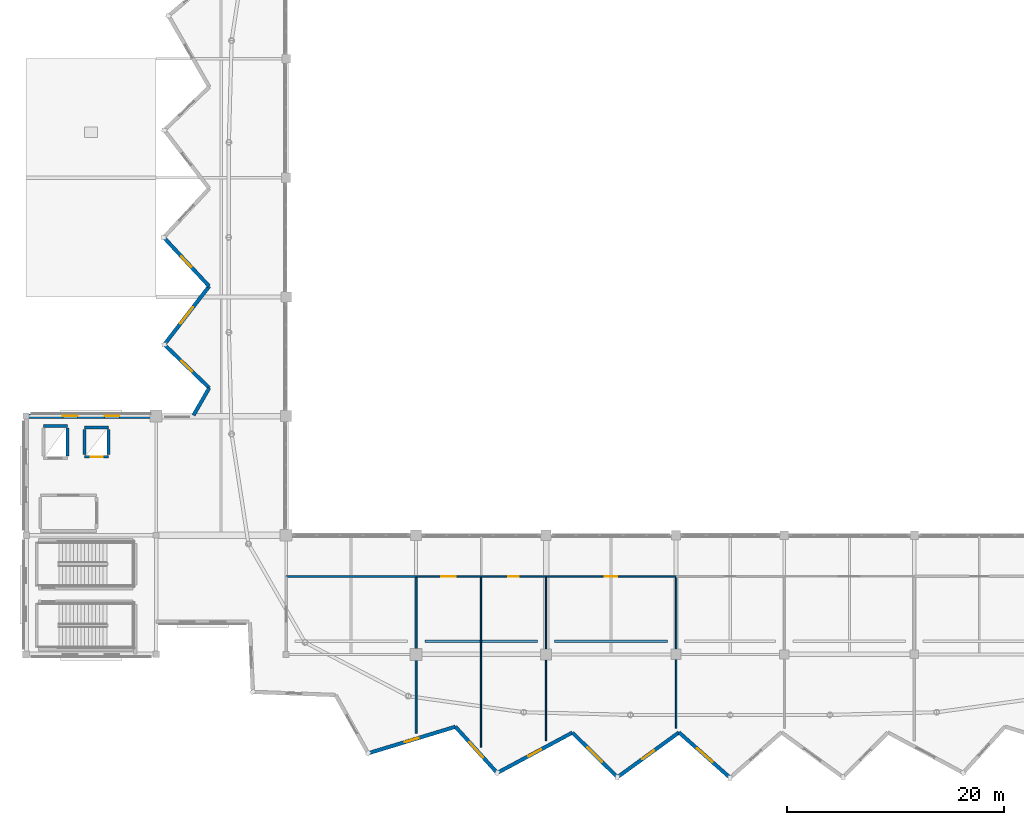
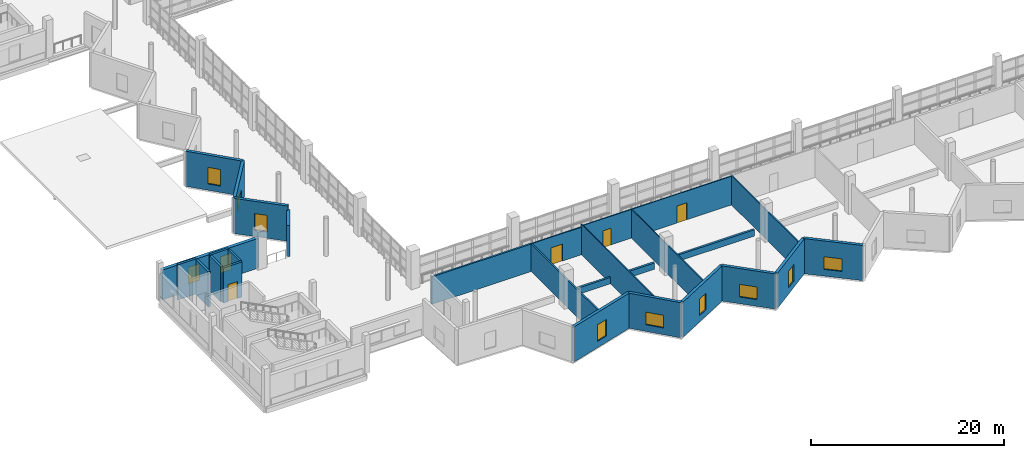
# One storey, part 36 of 53: 27 walls, 11 windows, 4 doors, 15 openings.
"""IFC4 building model written with IfcOpenShell, lengths in metres."""

from ifc_helpers import new_model, si_unit, direction, frame, frame_2d, origin, place, context, subcontext, project, spatial, rectangle, extrude, material, layer, layer_set, type_object, element, fill, save


model = new_model("IFC4")

# Units and contexts
model_context = context("Model", 3, precision=1e-05, world=origin(), true_north=direction((0.0, 1.0)))
body_context = subcontext(model_context, "Body", "Model", "MODEL_VIEW")
ifc_project = project(units=[si_unit("LENGTHUNIT", "METRE"), si_unit("AREAUNIT", "SQUARE_METRE"), si_unit("VOLUMEUNIT", "CUBIC_METRE"), si_unit("PLANEANGLEUNIT", "RADIAN"), si_unit("MASSUNIT", "GRAM", prefix="KILO")], contexts=[model_context])

# Site, building, storey
site_placement = place(None, origin())
site = spatial("IfcSite", under=ifc_project, at=site_placement, CompositionType="ELEMENT")
building_placement = place(site_placement, origin())
building = spatial("IfcBuilding", under=site, at=building_placement, Name="Luwafu Chhajja Arena", CompositionType="ELEMENT")
storey_placement = place(building_placement, frame((0.0, 0.0, 19.5)))
storey = spatial("IfcBuildingStorey", under=building, at=storey_placement, Name="L04", CompositionType="ELEMENT", Elevation=19.5)

# Wall
ifc_material_1 = material(Name="Acoustic gypsum and mineral wool partition")
ifc_layer_1 = layer(ifc_material_1, 0.199951171875, Name="Acoustic gypsum and mineral wool partition")
ifc_layer_set_1 = layer_set([ifc_layer_1], Name="Acoustic gypsum and mineral wool partition")
wall_type_1 = type_object("IfcWallType", Name="Acoustic Broadcast Studio Partition 200", PredefinedType="PARTITIONING", material=ifc_layer_set_1)
wall_1_placement = place(storey_placement, frame((58.0, 18.199951171875, 0.0), z_axis=(0.0, 0.0, 1.0), x_axis=(1.0, 0.0, 0.0)))
element("IfcWall", 1, at=wall_1_placement, inside=storey, type_object=wall_type_1, Name="L04 Internal Partition 0308", PredefinedType="PARTITIONING", context=body_context, shape_type="SweptSolid", body=[
    extrude(rectangle(XDim=12.0, YDim=0.199951171875, at=frame_2d((6.0, 0.0))), origin(), (0.0, 0.0, 1.0), 3.489990234375),
])

# Wall, opening, door
ifc_material_2 = material(Name="Lightweight blockwork partition", Category="masonry")
ifc_layer_2 = layer(ifc_material_2, 0.139892578125, Name="Lightweight blockwork partition")
ifc_layer_set_2 = layer_set([ifc_layer_2], Name="Lightweight blockwork partition")
wall_type_2 = type_object("IfcWallType", Name="Concourse Kiosk Partition 140", PredefinedType="PARTITIONING", material=ifc_layer_set_2)
wall_2_placement = place(storey_placement, frame((70.0, 18.199951171875, 0.0), z_axis=(0.0, 0.0, 1.0), x_axis=(1.0, 0.0, 0.0)))
wall_2 = element("IfcWall", 2, at=wall_2_placement, inside=storey, type_object=wall_type_2, Name="L04 Internal Partition 0309", PredefinedType="PARTITIONING", context=body_context, shape_type="SweptSolid", body=[
    extrude(rectangle(XDim=6.0, YDim=0.139892578125, at=frame_2d((3.0, 0.0))), origin(), (0.0, 0.0, 1.0), 3.489990234375),
])
opening_1_placement = place(wall_2_placement, frame((2.330078125, 0.0, 0.0)))
opening_1 = element("IfcOpeningElement", 3, at=opening_1_placement, cuts=wall_2, Name="Opening DR-26", PredefinedType="OPENING", context=body_context, shape_type="SweptSolid", body=[
    extrude(rectangle(XDim=1.340087890625, YDim=2.14990234375, at=frame_2d((0.669921875, 1.074951171875))), frame((0.0, 0.079833984375, 0.0), z_axis=(0.0, -1.0, 0.0), x_axis=(1.0, 0.0, 0.0)), (0.0, 0.0, 1.0), 0.159912109375),
])
ifc_material_3 = material(Name="Hardwood service leaf", Category="wood")
door_type_1 = type_object("IfcDoorType", Name="DR-26", OperationType="NOTDEFINED", PredefinedType="DOOR", material=ifc_material_3)
door_1_placement = place(opening_1_placement, origin())
door_1 = element("IfcDoor", 4, at=door_1_placement, inside=storey, type_object=door_type_1, Name="L04 Interior Door L04-D021", OperationType="SINGLE_SWING_RIGHT", OverallHeight=2.14990234375, OverallWidth=1.340087890625, PredefinedType="DOOR", context=body_context, shape_type="SweptSolid", body=[
    extrude(rectangle(XDim=1.340087890625, YDim=2.14990234375, at=frame_2d((0.669921875, 1.074951171875))), frame((0.0, 0.02490234375, 0.0), z_axis=(0.0, -1.0, 0.0), x_axis=(1.0, 0.0, 0.0)), (0.0, 0.0, 1.0), 0.050048828125),
])
fill(opening_1, door_1)

# Walls
wall_3_placement = place(storey_placement, frame((94.0, 4.1845703125, 0.0), z_axis=(0.0, 0.0, 1.0), x_axis=(0.0, 1.0, 0.0)))
element("IfcWall", 5, at=wall_3_placement, inside=storey, type_object=wall_type_2, Name="L04 Internal Partition 0326", PredefinedType="PARTITIONING", context=body_context, shape_type="SweptSolid", body=[
    extrude(rectangle(XDim=14.015380859375, YDim=0.139892578125, at=frame_2d((7.0078125, 0.0))), origin(), (0.0, 0.0, 1.0), 3.70654296875),
])
ifc_material_4 = material(Name="Concrete blockwork masonry", Category="masonry")
ifc_layer_3 = layer(ifc_material_4, 0.179931640625, Name="Concrete blockwork masonry")
ifc_layer_set_3 = layer_set([ifc_layer_3], Name="Concrete blockwork masonry")
wall_type_3 = type_object("IfcWallType", Name="Hospitality Suite Partition 180", PredefinedType="PARTITIONING", material=ifc_layer_set_3)
wall_4_placement = place(storey_placement, frame((70.0, 3.712158203125, 0.0), z_axis=(0.0, 0.0, 1.0), x_axis=(0.0, 1.0, 0.0)))
element("IfcWall", 6, at=wall_4_placement, inside=storey, type_object=wall_type_3, Name="L04 Internal Partition 0323", PredefinedType="PARTITIONING", context=body_context, shape_type="SweptSolid", body=[
    extrude(rectangle(XDim=14.48779296875, YDim=0.179931640625, at=frame_2d((7.243896484375, 0.0))), origin(), (0.0, 0.0, 1.0), 3.489990234375),
])

# Wall, opening, door
ifc_material_5 = material(Name="Acoustic metal-stud gypsum board")
ifc_layer_4 = layer(ifc_material_5, 0.1201171875, Name="Acoustic metal-stud gypsum board")
ifc_layer_set_4 = layer_set([ifc_layer_4], Name="Acoustic metal-stud gypsum board")
wall_type_4 = type_object("IfcWallType", Name="Internal Room Partition 120", PredefinedType="PARTITIONING", material=ifc_layer_set_4)
wall_5_placement = place(storey_placement, frame((76.0, 18.199951171875, 0.0), z_axis=(0.0, 0.0, 1.0), x_axis=(1.0, 0.0, 0.0)))
wall_5 = element("IfcWall", 7, at=wall_5_placement, inside=storey, type_object=wall_type_4, Name="L04 Internal Partition 0310", PredefinedType="PARTITIONING", context=body_context, shape_type="SweptSolid", body=[
    extrude(rectangle(XDim=6.0, YDim=0.1201171875, at=frame_2d((3.0, 0.0))), origin(), (0.0, 0.0, 1.0), 3.639892578125),
])
opening_2_placement = place(wall_5_placement, frame((2.510009765625, 0.0, 0.0)))
opening_2 = element("IfcOpeningElement", 8, at=opening_2_placement, cuts=wall_5, Name="Opening DR-27", PredefinedType="OPENING", context=body_context, shape_type="SweptSolid", body=[
    extrude(rectangle(XDim=0.97998046875, YDim=2.10009765625, at=frame_2d((0.489990234375, 1.050048828125))), frame((0.0, 0.070068359375, 0.0), z_axis=(0.0, -1.0, 0.0), x_axis=(1.0, 0.0, 0.0)), (0.0, 0.0, 1.0), 0.14013671875),
])
ifc_material_6 = material(Name="Moisture-resistant laminate leaf")
door_type_2 = type_object("IfcDoorType", Name="DR-27", OperationType="NOTDEFINED", PredefinedType="DOOR", material=ifc_material_6)
door_2_placement = place(opening_2_placement, origin())
door_2 = element("IfcDoor", 9, at=door_2_placement, inside=storey, type_object=door_type_2, Name="L04 Interior Door L04-D022", OperationType="SINGLE_SWING_LEFT", OverallHeight=2.10009765625, OverallWidth=0.97998046875, PredefinedType="DOOR", context=body_context, shape_type="SweptSolid", body=[
    extrude(rectangle(XDim=0.97998046875, YDim=2.10009765625, at=frame_2d((0.489990234375, 1.050048828125))), frame((0.0, 0.02490234375, 0.0), z_axis=(0.0, -1.0, 0.0), x_axis=(1.0, 0.0, 0.0)), (0.0, 0.0, 1.0), 0.050048828125),
])
fill(opening_2, door_2)

wall_6_placement = place(storey_placement, frame((82.0, 18.199951171875, 0.0), z_axis=(0.0, 0.0, 1.0), x_axis=(1.0, 0.0, 0.0)))
wall_6 = element("IfcWall", 10, at=wall_6_placement, inside=storey, type_object=wall_type_4, Name="L04 Internal Partition 0311", PredefinedType="PARTITIONING", context=body_context, shape_type="SweptSolid", body=[
    extrude(rectangle(XDim=12.0, YDim=0.1201171875, at=frame_2d((6.0, 0.0))), origin(), (0.0, 0.0, 1.0), 3.639892578125),
])
opening_3_placement = place(wall_6_placement, frame((5.409912109375, 0.0, 0.0)))
opening_3 = element("IfcOpeningElement", 11, at=opening_3_placement, cuts=wall_6, Name="Opening DR-21", PredefinedType="OPENING", context=body_context, shape_type="SweptSolid", body=[
    extrude(rectangle(XDim=1.179931640625, YDim=2.14990234375, at=frame_2d((0.58984375, 1.074951171875))), frame((0.0, 0.070068359375, 0.0), z_axis=(0.0, -1.0, 0.0), x_axis=(1.0, 0.0, 0.0)), (0.0, 0.0, 1.0), 0.14013671875),
])
ifc_material_7 = material(Name="Hygienic laminate single leaf")
door_type_3 = type_object("IfcDoorType", Name="DR-21", OperationType="NOTDEFINED", PredefinedType="DOOR", material=ifc_material_7)
door_3_placement = place(opening_3_placement, origin())
door_3 = element("IfcDoor", 12, at=door_3_placement, inside=storey, type_object=door_type_3, Name="L04 Interior Door L04-D023", OperationType="SINGLE_SWING_RIGHT", OverallHeight=2.14990234375, OverallWidth=1.179931640625, PredefinedType="DOOR", context=body_context, shape_type="SweptSolid", body=[
    extrude(rectangle(XDim=1.179931640625, YDim=2.14990234375, at=frame_2d((0.58984375, 1.074951171875))), frame((0.0, 0.02490234375, 0.0), z_axis=(0.0, -1.0, 0.0), x_axis=(1.0, 0.0, 0.0)), (0.0, 0.0, 1.0), 0.050048828125),
])
fill(opening_3, door_3)

# Walls
wall_7_placement = place(storey_placement, frame((76.0, 2.415283203125, 0.0), z_axis=(0.0, 0.0, 1.0), x_axis=(0.0, 1.0, 0.0)))
element("IfcWall", 13, at=wall_7_placement, inside=storey, type_object=wall_type_4, Name="L04 Internal Partition 0324", PredefinedType="PARTITIONING", context=body_context, shape_type="SweptSolid", body=[
    extrude(rectangle(XDim=15.78466796875, YDim=0.1201171875, at=frame_2d((7.892333984375, 0.0))), origin(), (0.0, 0.0, 1.0), 3.853271484375),
])
wall_8_placement = place(storey_placement, frame((82.0, 3.015625, 0.0), z_axis=(0.0, 0.0, 1.0), x_axis=(0.0, 1.0, 0.0)))
element("IfcWall", 14, at=wall_8_placement, inside=storey, type_object=wall_type_4, Name="L04 Internal Partition 0325", PredefinedType="PARTITIONING", context=body_context, shape_type="SweptSolid", body=[
    extrude(rectangle(XDim=15.184326171875, YDim=0.1201171875, at=frame_2d((7.59228515625, 0.0))), origin(), (0.0, 0.0, 1.0), 3.639892578125),
])
ifc_material_8 = material(Name="Concrete C35/45", Category="concrete")
ifc_layer_5 = layer(ifc_material_8, 0.260009765625, Name="Concrete C35/45")
ifc_layer_set_5 = layer_set([ifc_layer_5], Name="Concrete C35/45")
wall_type_5 = type_object("IfcWallType", Name="Lift and Riser Shaft Wall 260", PredefinedType="SOLIDWALL", material=ifc_layer_set_5)
wall_9_placement = place(storey_placement, frame((35.590087890625, 32.0849609375, 0.0), z_axis=(0.0, 0.0, 1.0), x_axis=(1.0, 0.0, 0.0)))
element("IfcWall", 15, at=wall_9_placement, inside=storey, type_object=wall_type_5, Name="L04 Lift LF-01 Shaft Wall N", PredefinedType="SOLIDWALL", context=body_context, shape_type="SweptSolid", body=[
    extrude(rectangle(XDim=2.219970703125, YDim=0.260009765625, at=frame_2d((1.10986328125, 0.0))), origin(), (0.0, 0.0, 1.0), 4.4599609375),
])
wall_10_placement = place(storey_placement, frame((37.81005859375, 29.31494140625, 0.0), z_axis=(0.0, 0.0, 1.0), x_axis=(0.0, 1.0, 0.0)))
element("IfcWall", 16, at=wall_10_placement, inside=storey, type_object=wall_type_5, Name="L04 Lift LF-01 Shaft Wall E", PredefinedType="SOLIDWALL", context=body_context, shape_type="SweptSolid", body=[
    extrude(rectangle(XDim=2.570068359375, YDim=0.260009765625, at=frame_2d((1.28515625, 0.0))), origin(), (0.0, 0.0, 1.0), 4.4599609375),
])

# Wall, opening, door
wall_11_placement = place(storey_placement, frame((39.389892578125, 29.239990234375, 0.0), z_axis=(0.0, 0.0, 1.0), x_axis=(1.0, 0.0, 0.0)))
wall_11 = element("IfcWall", 17, at=wall_11_placement, inside=storey, type_object=wall_type_5, Name="L04 Lift LF-05 Shaft Wall S", PredefinedType="SOLIDWALL", context=body_context, shape_type="SweptSolid", body=[
    extrude(rectangle(XDim=2.22021484375, YDim=0.260009765625, at=frame_2d((1.110107421875, 0.0))), origin(), (0.0, 0.0, 1.0), 4.4599609375),
])
opening_4_placement = place(wall_11_placement, frame((0.56005859375, 0.0, 0.0)))
opening_4 = element("IfcOpeningElement", 18, at=opening_4_placement, cuts=wall_11, Name="Opening LD-01", PredefinedType="OPENING", context=body_context, shape_type="SweptSolid", body=[
    extrude(rectangle(XDim=1.10009765625, YDim=2.14990234375, at=frame_2d((0.550048828125, 1.074951171875))), frame((0.0, 0.139892578125, 0.0), z_axis=(0.0, -1.0, 0.0), x_axis=(1.0, 0.0, 0.0)), (0.0, 0.0, 1.0), 0.280029296875),
])
ifc_material_9 = material(Name="Brushed stainless steel sliding leaves", Category="steel")
door_type_4 = type_object("IfcDoorType", Name="LD-01", OperationType="SLIDING_TO_LEFT", PredefinedType="DOOR", material=ifc_material_9)
door_4_placement = place(opening_4_placement, origin())
door_4 = element("IfcDoor", 19, at=door_4_placement, inside=storey, type_object=door_type_4, Name="L04 Lift LF-05 Landing Door L04-LD02", OperationType="SLIDING_TO_LEFT", OverallHeight=2.14990234375, OverallWidth=1.10009765625, PredefinedType="DOOR", context=body_context, shape_type="SweptSolid", body=[
    extrude(rectangle(XDim=1.10009765625, YDim=2.14990234375, at=frame_2d((0.550048828125, 1.074951171875))), frame((0.0, 0.02490234375, 0.0), z_axis=(0.0, -1.0, 0.0), x_axis=(1.0, 0.0, 0.0)), (0.0, 0.0, 1.0), 0.050048828125),
])
fill(opening_4, door_4)

# Walls
wall_12_placement = place(storey_placement, frame((39.389892578125, 31.9599609375, 0.0), z_axis=(0.0, 0.0, 1.0), x_axis=(1.0, 0.0, 0.0)))
element("IfcWall", 20, at=wall_12_placement, inside=storey, type_object=wall_type_5, Name="L04 Lift LF-05 Shaft Wall N", PredefinedType="SOLIDWALL", context=body_context, shape_type="SweptSolid", body=[
    extrude(rectangle(XDim=2.22021484375, YDim=0.260009765625, at=frame_2d((1.110107421875, 0.0))), origin(), (0.0, 0.0, 1.0), 4.4599609375),
])
for number, where, z_axis, x_axis, name in (
    (21, (39.389892578125, 29.43994140625, 0.0), (0.0, 0.0, 1.0), (0.0, 1.0, 0.0), "L04 Lift LF-05 Shaft Wall W"),
    (22, (41.610107421875, 29.43994140625, 0.0), (0.0, 0.0, 1.0), (0.0, 1.0, 0.0), "L04 Lift LF-05 Shaft Wall E"),
):
    element("IfcWall", number, at=place(storey_placement, frame(where, z_axis=z_axis, x_axis=x_axis)), inside=storey, type_object=wall_type_5, Name=name, PredefinedType="SOLIDWALL", context=body_context, shape_type="SweptSolid", body=[
        extrude(rectangle(XDim=2.320068359375, YDim=0.260009765625, at=frame_2d((1.16015625, 0.0))), origin(), (0.0, 0.0, 1.0), 4.4599609375),
    ])

# Wall, opening, window
ifc_material_10 = material(Name="Precast concrete C40/50", Category="concrete")
ifc_layer_6 = layer(ifc_material_10, 0.340087890625, Name="Precast concrete C40/50")
ifc_layer_set_6 = layer_set([ifc_layer_6], Name="Precast concrete C40/50")
wall_type_6 = type_object("IfcWallType", Name="Pleated Bowl V-Fold Wall 340", PredefinedType="USERDEFINED", material=ifc_layer_set_6)
wall_13_placement = place(storey_placement, frame((46.699951171875, 49.5, 0.0), z_axis=(0.0, 0.0, 1.0), x_axis=(0.68064266922, -0.732615558692, 0.0)))
wall_13 = element("IfcWall", 23, at=wall_13_placement, inside=storey, type_object=wall_type_6, Name="L04 Pleated Bowl V-Fold Wall 33", ObjectType="PLEATED FACADE WALL", PredefinedType="USERDEFINED", context=body_context, shape_type="SweptSolid", body=[
    extrude(rectangle(XDim=6.158447265625, YDim=0.340087890625, at=frame_2d((3.0791015625, 0.0))), origin(), (0.0, 0.0, 1.0), 4.455078125),
])
opening_5_placement = place(wall_13_placement, frame((2.404052734375, 0.0, 0.800048828125)))
opening_5 = element("IfcOpeningElement", 24, at=opening_5_placement, cuts=wall_13, Name="Opening WN-17", PredefinedType="OPENING", context=body_context, shape_type="SweptSolid", body=[
    extrude(rectangle(XDim=1.35009765625, YDim=2.10009765625, at=frame_2d((0.675048828125, 1.050048828125))), frame((0.0, 0.179931640625, 0.0), z_axis=(0.0, -1.0, 0.0), x_axis=(1.0, 0.0, 0.0)), (0.0, 0.0, 1.0), 0.360107421875),
])
ifc_material_11 = material(Name="Solar-control laminated glass", Category="glass")
window_type_1 = type_object("IfcWindowType", Name="Exhibition Mezzanine Lancet Window 1350x2100", PartitioningType="SINGLE_PANEL", PredefinedType="WINDOW", material=ifc_material_11)
window_1_placement = place(opening_5_placement, origin())
window_1 = element("IfcWindow", 25, at=window_1_placement, inside=storey, type_object=window_type_1, Name="L04 Pleated Bowl Lancet Window 106", OverallHeight=2.10009765625, OverallWidth=1.35009765625, PartitioningType="SINGLE_PANEL", PredefinedType="WINDOW", context=body_context, shape_type="SweptSolid", body=[
    extrude(rectangle(XDim=1.35009765625, YDim=2.10009765625, at=frame_2d((0.675048828125, 1.050048828125))), frame((0.0, 0.030029296875, 0.0), z_axis=(0.0, -1.0, 0.0), x_axis=(1.0, 0.0, 0.0)), (0.0, 0.0, 1.0), 0.06005859375),
])
fill(opening_5, window_1)

wall_14_placement = place(storey_placement, frame((50.8916015625, 44.98828125, 0.0), z_axis=(0.0, 0.0, 1.0), x_axis=(-0.609656915655, -0.792665405575, 0.0)))
wall_14 = element("IfcWall", 26, at=wall_14_placement, inside=storey, type_object=wall_type_6, Name="L04 Pleated Bowl V-Fold Wall 34", ObjectType="PLEATED FACADE WALL", PredefinedType="USERDEFINED", context=body_context, shape_type="SweptSolid", body=[
    extrude(rectangle(XDim=6.79296875, YDim=0.340087890625, at=frame_2d((3.396484375, 0.0))), origin(), (0.0, 0.0, 1.0), 4.455078125),
])
opening_6_placement = place(wall_14_placement, frame((2.4462890625, 0.0, 0.85009765625)))
opening_6 = element("IfcOpeningElement", 27, at=opening_6_placement, cuts=wall_14, Name="Opening WN-15", PredefinedType="OPENING", context=body_context, shape_type="SweptSolid", body=[
    extrude(rectangle(XDim=1.89990234375, YDim=1.60009765625, at=frame_2d((0.949951171875, 0.800048828125))), frame((0.0, 0.179931640625, 0.0), z_axis=(0.0, -1.0, 0.0), x_axis=(1.0, 0.0, 0.0)), (0.0, 0.0, 1.0), 0.360107421875),
])
window_type_2 = type_object("IfcWindowType", Name="Pleated Drum Inward-Fold Clerestory 1900x1600", PartitioningType="SINGLE_PANEL", PredefinedType="WINDOW", material=ifc_material_11)
window_2_placement = place(opening_6_placement, origin())
window_2 = element("IfcWindow", 28, at=window_2_placement, inside=storey, type_object=window_type_2, Name="L04 Pleated Bowl Lancet Window 107", OverallHeight=1.60009765625, OverallWidth=1.89990234375, PartitioningType="SINGLE_PANEL", PredefinedType="WINDOW", context=body_context, shape_type="SweptSolid", body=[
    extrude(rectangle(XDim=1.89990234375, YDim=1.60009765625, at=frame_2d((0.949951171875, 0.800048828125))), frame((0.0, 0.030029296875, 0.0), z_axis=(0.0, -1.0, 0.0), x_axis=(1.0, 0.0, 0.0)), (0.0, 0.0, 1.0), 0.06005859375),
])
fill(opening_6, window_2)

wall_15_placement = place(storey_placement, frame((46.750244140625, 39.603759765625, 0.0), z_axis=(0.0, 0.0, 1.0), x_axis=(0.719894969607, -0.694083015737, 0.0)))
wall_15 = element("IfcWall", 29, at=wall_15_placement, inside=storey, type_object=wall_type_6, Name="L04 Pleated Bowl V-Fold Wall 35", ObjectType="PLEATED FACADE WALL", PredefinedType="USERDEFINED", context=body_context, shape_type="SweptSolid", body=[
    extrude(rectangle(XDim=5.76025390625, YDim=0.340087890625, at=frame_2d((2.880126953125, 0.0))), origin(), (0.0, 0.0, 1.0), 4.455078125),
])
opening_7_placement = place(wall_15_placement, frame((2.205078125, 0.0, 0.800048828125)))
opening_7 = element("IfcOpeningElement", 30, at=opening_7_placement, cuts=wall_15, Name="Opening WN-17", PredefinedType="OPENING", context=body_context, shape_type="SweptSolid", body=[
    extrude(rectangle(XDim=1.35009765625, YDim=2.10009765625, at=frame_2d((0.675048828125, 1.050048828125))), frame((0.0, 0.179931640625, 0.0), z_axis=(0.0, -1.0, 0.0), x_axis=(1.0, 0.0, 0.0)), (0.0, 0.0, 1.0), 0.360107421875),
])
window_3_placement = place(opening_7_placement, origin())
window_3 = element("IfcWindow", 31, at=window_3_placement, inside=storey, type_object=window_type_1, Name="L04 Pleated Bowl Lancet Window 108", OverallHeight=2.10009765625, OverallWidth=1.35009765625, PartitioningType="SINGLE_PANEL", PredefinedType="WINDOW", context=body_context, shape_type="SweptSolid", body=[
    extrude(rectangle(XDim=1.35009765625, YDim=2.10009765625, at=frame_2d((0.675048828125, 1.050048828125))), frame((0.0, 0.030029296875, 0.0), z_axis=(0.0, -1.0, 0.0), x_axis=(1.0, 0.0, 0.0)), (0.0, 0.0, 1.0), 0.06005859375),
])
fill(opening_7, window_3)

# Wall
wall_16_placement = place(storey_placement, frame((50.89697265625, 35.605712890625, 0.0), z_axis=(0.0, 0.0, 1.0), x_axis=(-0.497249451908, -0.86760762017, 0.0)))
element("IfcWall", 32, at=wall_16_placement, inside=storey, type_object=wall_type_6, Name="L04 Pleated Bowl V-Fold Wall 36", ObjectType="PLEATED FACADE WALL", PredefinedType="USERDEFINED", context=body_context, shape_type="SweptSolid", body=[
    extrude(rectangle(XDim=2.9111328125, YDim=0.340087890625, at=frame_2d((1.45556640625, 0.0))), origin(), (0.0, 0.0, 1.0), 3.889892578125),
])

# Wall, opening, window
wall_17_placement = place(storey_placement, frame((65.572509765625, 1.864013671875, 0.0), z_axis=(0.0, 0.0, 1.0), x_axis=(0.956738407321, 0.290949514446, 0.0)))
wall_17 = element("IfcWall", 33, at=wall_17_placement, inside=storey, type_object=wall_type_6, Name="L04 Pleated Bowl V-Fold Wall 43", ObjectType="PLEATED FACADE WALL", PredefinedType="USERDEFINED", context=body_context, shape_type="SweptSolid", body=[
    extrude(rectangle(XDim=8.427978515625, YDim=0.340087890625, at=frame_2d((4.2138671875, 0.0))), origin(), (0.0, 0.0, 1.0), 4.455078125),
])
opening_8_placement = place(wall_17_placement, frame((3.5390625, 0.0, 0.800048828125)))
opening_8 = element("IfcOpeningElement", 34, at=opening_8_placement, cuts=wall_17, Name="Opening WN-17", PredefinedType="OPENING", context=body_context, shape_type="SweptSolid", body=[
    extrude(rectangle(XDim=1.35009765625, YDim=2.10009765625, at=frame_2d((0.675048828125, 1.050048828125))), frame((0.0, 0.179931640625, 0.0), z_axis=(0.0, -1.0, 0.0), x_axis=(1.0, 0.0, 0.0)), (0.0, 0.0, 1.0), 0.360107421875),
])
window_4_placement = place(opening_8_placement, origin())
window_4 = element("IfcWindow", 35, at=window_4_placement, inside=storey, type_object=window_type_1, Name="L04 Pleated Bowl Lancet Window 112", OverallHeight=2.10009765625, OverallWidth=1.35009765625, PartitioningType="SINGLE_PANEL", PredefinedType="WINDOW", context=body_context, shape_type="SweptSolid", body=[
    extrude(rectangle(XDim=1.35009765625, YDim=2.10009765625, at=frame_2d((0.675048828125, 1.050048828125))), frame((0.0, 0.030029296875, 0.0), z_axis=(0.0, -1.0, 0.0), x_axis=(1.0, 0.0, 0.0)), (0.0, 0.0, 1.0), 0.06005859375),
])
fill(opening_8, window_4)

wall_18_placement = place(storey_placement, frame((73.635986328125, 4.316162109375, 0.0), z_axis=(0.0, 0.0, 1.0), x_axis=(0.670348131104, -0.742046752654, 0.0)))
wall_18 = element("IfcWall", 36, at=wall_18_placement, inside=storey, type_object=wall_type_6, Name="L04 Pleated Bowl V-Fold Wall 44", ObjectType="PLEATED FACADE WALL", PredefinedType="USERDEFINED", context=body_context, shape_type="SweptSolid", body=[
    extrude(rectangle(XDim=5.747802734375, YDim=0.340087890625, at=frame_2d((2.8740234375, 0.0))), origin(), (0.0, 0.0, 1.0), 4.455078125),
])
opening_9_placement = place(wall_18_placement, frame((1.923828125, 0.0, 0.85009765625)))
opening_9 = element("IfcOpeningElement", 37, at=opening_9_placement, cuts=wall_18, Name="Opening WN-15", PredefinedType="OPENING", context=body_context, shape_type="SweptSolid", body=[
    extrude(rectangle(XDim=1.89990234375, YDim=1.60009765625, at=frame_2d((0.949951171875, 0.800048828125))), frame((0.0, 0.179931640625, 0.0), z_axis=(0.0, -1.0, 0.0), x_axis=(1.0, 0.0, 0.0)), (0.0, 0.0, 1.0), 0.360107421875),
])
window_5_placement = place(opening_9_placement, origin())
window_5 = element("IfcWindow", 38, at=window_5_placement, inside=storey, type_object=window_type_2, Name="L04 Pleated Bowl Lancet Window 113", OverallHeight=1.60009765625, OverallWidth=1.89990234375, PartitioningType="SINGLE_PANEL", PredefinedType="WINDOW", context=body_context, shape_type="SweptSolid", body=[
    extrude(rectangle(XDim=1.89990234375, YDim=1.60009765625, at=frame_2d((0.949951171875, 0.800048828125))), frame((0.0, 0.030029296875, 0.0), z_axis=(0.0, -1.0, 0.0), x_axis=(1.0, 0.0, 0.0)), (0.0, 0.0, 1.0), 0.06005859375),
])
fill(opening_9, window_5)

wall_19_placement = place(storey_placement, frame((77.489013671875, 0.051025390625, 0.0), z_axis=(0.0, 0.0, 1.0), x_axis=(0.881201188687, 0.472741435731, 0.0)))
wall_19 = element("IfcWall", 39, at=wall_19_placement, inside=storey, type_object=wall_type_6, Name="L04 Pleated Bowl V-Fold Wall 45", ObjectType="PLEATED FACADE WALL", PredefinedType="USERDEFINED", context=body_context, shape_type="SweptSolid", body=[
    extrude(rectangle(XDim=7.880859375, YDim=0.340087890625, at=frame_2d((3.9404296875, 0.0))), origin(), (0.0, 0.0, 1.0), 4.455078125),
])
opening_10_placement = place(wall_19_placement, frame((3.265380859375, 0.0, 0.800048828125)))
opening_10 = element("IfcOpeningElement", 40, at=opening_10_placement, cuts=wall_19, Name="Opening WN-17", PredefinedType="OPENING", context=body_context, shape_type="SweptSolid", body=[
    extrude(rectangle(XDim=1.35009765625, YDim=2.10009765625, at=frame_2d((0.675048828125, 1.050048828125))), frame((0.0, 0.179931640625, 0.0), z_axis=(0.0, -1.0, 0.0), x_axis=(1.0, 0.0, 0.0)), (0.0, 0.0, 1.0), 0.360107421875),
])
window_6_placement = place(opening_10_placement, origin())
window_6 = element("IfcWindow", 41, at=window_6_placement, inside=storey, type_object=window_type_1, Name="L04 Pleated Bowl Lancet Window 114", OverallHeight=2.10009765625, OverallWidth=1.35009765625, PartitioningType="SINGLE_PANEL", PredefinedType="WINDOW", context=body_context, shape_type="SweptSolid", body=[
    extrude(rectangle(XDim=1.35009765625, YDim=2.10009765625, at=frame_2d((0.675048828125, 1.050048828125))), frame((0.0, 0.030029296875, 0.0), z_axis=(0.0, -1.0, 0.0), x_axis=(1.0, 0.0, 0.0)), (0.0, 0.0, 1.0), 0.06005859375),
])
fill(opening_10, window_6)

wall_20_placement = place(storey_placement, frame((84.43359375, 3.776611328125, 0.0), z_axis=(0.0, 0.0, 1.0), x_axis=(0.710084208502, -0.704116763638, 0.0)))
wall_20 = element("IfcWall", 42, at=wall_20_placement, inside=storey, type_object=wall_type_6, Name="L04 Pleated Bowl V-Fold Wall 46", ObjectType="PLEATED FACADE WALL", PredefinedType="USERDEFINED", context=body_context, shape_type="SweptSolid", body=[
    extrude(rectangle(XDim=5.850341796875, YDim=0.340087890625, at=frame_2d((2.92529296875, 0.0))), origin(), (0.0, 0.0, 1.0), 4.455078125),
])
opening_11_placement = place(wall_20_placement, frame((1.97509765625, 0.0, 0.85009765625)))
opening_11 = element("IfcOpeningElement", 43, at=opening_11_placement, cuts=wall_20, Name="Opening WN-15", PredefinedType="OPENING", context=body_context, shape_type="SweptSolid", body=[
    extrude(rectangle(XDim=1.89990234375, YDim=1.60009765625, at=frame_2d((0.949951171875, 0.800048828125))), frame((0.0, 0.179931640625, 0.0), z_axis=(0.0, -1.0, 0.0), x_axis=(1.0, 0.0, 0.0)), (0.0, 0.0, 1.0), 0.360107421875),
])
window_7_placement = place(opening_11_placement, origin())
window_7 = element("IfcWindow", 44, at=window_7_placement, inside=storey, type_object=window_type_2, Name="L04 Pleated Bowl Lancet Window 115", OverallHeight=1.60009765625, OverallWidth=1.89990234375, PartitioningType="SINGLE_PANEL", PredefinedType="WINDOW", context=body_context, shape_type="SweptSolid", body=[
    extrude(rectangle(XDim=1.89990234375, YDim=1.60009765625, at=frame_2d((0.949951171875, 0.800048828125))), frame((0.0, 0.030029296875, 0.0), z_axis=(0.0, -1.0, 0.0), x_axis=(1.0, 0.0, 0.0)), (0.0, 0.0, 1.0), 0.06005859375),
])
fill(opening_11, window_7)

wall_21_placement = place(storey_placement, frame((88.587890625, -0.3427734375, 0.0), z_axis=(0.0, 0.0, 1.0), x_axis=(0.808841233488, 0.588027090371, 0.0)))
wall_21 = element("IfcWall", 45, at=wall_21_placement, inside=storey, type_object=wall_type_6, Name="L04 Pleated Bowl V-Fold Wall 47", ObjectType="PLEATED FACADE WALL", PredefinedType="USERDEFINED", context=body_context, shape_type="SweptSolid", body=[
    extrude(rectangle(XDim=7.02734375, YDim=0.340087890625, at=frame_2d((3.513671875, 0.0))), origin(), (0.0, 0.0, 1.0), 4.455078125),
])
opening_12_placement = place(wall_21_placement, frame((2.838623046875, 0.0, 0.800048828125)))
opening_12 = element("IfcOpeningElement", 46, at=opening_12_placement, cuts=wall_21, Name="Opening WN-17", PredefinedType="OPENING", context=body_context, shape_type="SweptSolid", body=[
    extrude(rectangle(XDim=1.35009765625, YDim=2.10009765625, at=frame_2d((0.675048828125, 1.050048828125))), frame((0.0, 0.179931640625, 0.0), z_axis=(0.0, -1.0, 0.0), x_axis=(1.0, 0.0, 0.0)), (0.0, 0.0, 1.0), 0.360107421875),
])
window_8_placement = place(opening_12_placement, origin())
window_8 = element("IfcWindow", 47, at=window_8_placement, inside=storey, type_object=window_type_1, Name="L04 Pleated Bowl Lancet Window 116", OverallHeight=2.10009765625, OverallWidth=1.35009765625, PartitioningType="SINGLE_PANEL", PredefinedType="WINDOW", context=body_context, shape_type="SweptSolid", body=[
    extrude(rectangle(XDim=1.35009765625, YDim=2.10009765625, at=frame_2d((0.675048828125, 1.050048828125))), frame((0.0, 0.030029296875, 0.0), z_axis=(0.0, -1.0, 0.0), x_axis=(1.0, 0.0, 0.0)), (0.0, 0.0, 1.0), 0.06005859375),
])
fill(opening_12, window_8)

wall_22_placement = place(storey_placement, frame((94.27197265625, 3.78955078125, 0.0), z_axis=(0.0, 0.0, 1.0), x_axis=(0.74844895461, -0.663192402205, 0.0)))
wall_22 = element("IfcWall", 48, at=wall_22_placement, inside=storey, type_object=wall_type_6, Name="L04 Pleated Bowl V-Fold Wall 48", ObjectType="PLEATED FACADE WALL", PredefinedType="USERDEFINED", context=body_context, shape_type="SweptSolid", body=[
    extrude(rectangle(XDim=6.317138671875, YDim=0.340087890625, at=frame_2d((3.15869140625, 0.0))), origin(), (0.0, 0.0, 1.0), 4.455078125),
])
opening_13_placement = place(wall_22_placement, frame((2.20849609375, 0.0, 0.85009765625)))
opening_13 = element("IfcOpeningElement", 49, at=opening_13_placement, cuts=wall_22, Name="Opening WN-15", PredefinedType="OPENING", context=body_context, shape_type="SweptSolid", body=[
    extrude(rectangle(XDim=1.89990234375, YDim=1.60009765625, at=frame_2d((0.949951171875, 0.800048828125))), frame((0.0, 0.179931640625, 0.0), z_axis=(0.0, -1.0, 0.0), x_axis=(1.0, 0.0, 0.0)), (0.0, 0.0, 1.0), 0.360107421875),
])
window_9_placement = place(opening_13_placement, origin())
window_9 = element("IfcWindow", 50, at=window_9_placement, inside=storey, type_object=window_type_2, Name="L04 Pleated Bowl Lancet Window 117", OverallHeight=1.60009765625, OverallWidth=1.89990234375, PartitioningType="SINGLE_PANEL", PredefinedType="WINDOW", context=body_context, shape_type="SweptSolid", body=[
    extrude(rectangle(XDim=1.89990234375, YDim=1.60009765625, at=frame_2d((0.949951171875, 0.800048828125))), frame((0.0, 0.030029296875, 0.0), z_axis=(0.0, -1.0, 0.0), x_axis=(1.0, 0.0, 0.0)), (0.0, 0.0, 1.0), 0.06005859375),
])
fill(opening_13, window_9)

# Wall, openings, windows
ifc_material_12 = material(Name="Concrete C40/50", Category="concrete")
ifc_layer_7 = layer(ifc_material_12, 0.39990234375, Name="Concrete C40/50")
ifc_layer_set_7 = layer_set([ifc_layer_7], Name="Concrete C40/50")
wall_type_7 = type_object("IfcWallType", Name="RC Core Shear Wall 400", PredefinedType="SOLIDWALL", material=ifc_layer_set_7)
wall_23_placement = place(storey_placement, frame((34.219970703125, 33.0, 0.0), z_axis=(0.0, 0.0, 1.0), x_axis=(1.0, 0.0, 0.0)))
wall_23 = element("IfcWall", 51, at=wall_23_placement, inside=storey, type_object=wall_type_7, Name="L04 Exterior Wall WEX-L04-212", PredefinedType="SOLIDWALL", context=body_context, shape_type="SweptSolid", body=[
    extrude(rectangle(XDim=11.56005859375, YDim=0.39990234375, at=frame_2d((5.780029296875, 0.0))), origin(), (0.0, 0.0, 1.0), 3.769775390625),
])
opening_14_placement = place(wall_23_placement, frame((3.17822265625, 0.0, 0.800048828125)))
opening_14 = element("IfcOpeningElement", 52, at=opening_14_placement, cuts=wall_23, Name="Opening WN-17", PredefinedType="OPENING", context=body_context, shape_type="SweptSolid", body=[
    extrude(rectangle(XDim=1.35009765625, YDim=2.10009765625, at=frame_2d((0.675048828125, 1.050048828125))), frame((0.0, 0.2099609375, 0.0), z_axis=(0.0, -1.0, 0.0), x_axis=(1.0, 0.0, 0.0)), (0.0, 0.0, 1.0), 0.419921875),
])
opening_15_placement = place(wall_23_placement, frame((7.03173828125, 0.0, 0.800048828125)))
opening_15 = element("IfcOpeningElement", 53, at=opening_15_placement, cuts=wall_23, Name="Opening WN-17", PredefinedType="OPENING", context=body_context, shape_type="SweptSolid", body=[
    extrude(rectangle(XDim=1.35009765625, YDim=2.10009765625, at=frame_2d((0.675048828125, 1.050048828125))), frame((0.0, 0.2099609375, 0.0), z_axis=(0.0, -1.0, 0.0), x_axis=(1.0, 0.0, 0.0)), (0.0, 0.0, 1.0), 0.419921875),
])
window_10_placement = place(opening_14_placement, origin())
window_10 = element("IfcWindow", 54, at=window_10_placement, inside=storey, type_object=window_type_1, Name="L04 Facade Window 170", OverallHeight=2.10009765625, OverallWidth=1.35009765625, PartitioningType="SINGLE_PANEL", PredefinedType="WINDOW", context=body_context, shape_type="SweptSolid", body=[
    extrude(rectangle(XDim=1.35009765625, YDim=2.10009765625, at=frame_2d((0.675048828125, 1.050048828125))), frame((0.0, 0.030029296875, 0.0), z_axis=(0.0, -1.0, 0.0), x_axis=(1.0, 0.0, 0.0)), (0.0, 0.0, 1.0), 0.06005859375),
])
fill(opening_14, window_10)
window_11_placement = place(opening_15_placement, origin())
window_11 = element("IfcWindow", 55, at=window_11_placement, inside=storey, type_object=window_type_1, Name="L04 Facade Window 171", OverallHeight=2.10009765625, OverallWidth=1.35009765625, PartitioningType="SINGLE_PANEL", PredefinedType="WINDOW", context=body_context, shape_type="SweptSolid", body=[
    extrude(rectangle(XDim=1.35009765625, YDim=2.10009765625, at=frame_2d((0.675048828125, 1.050048828125))), frame((0.0, 0.030029296875, 0.0), z_axis=(0.0, -1.0, 0.0), x_axis=(1.0, 0.0, 0.0)), (0.0, 0.0, 1.0), 0.06005859375),
])
fill(opening_15, window_11)

# Walls
ifc_layer_8 = layer(ifc_material_10, 0.25, Name="Precast concrete C40/50")
ifc_layer_set_8 = layer_set([ifc_layer_8], Name="Precast concrete C40/50")
wall_type_8 = type_object("IfcWallType", Name="Sandstone Coped Roof Parapet 250", PredefinedType="PARAPET", material=ifc_layer_set_8)
for number, where, z_axis, x_axis, name in (
    (56, (70.800048828125, 12.199951171875, 0.0), (0.0, 0.0, 1.0), (1.0, 0.0, 0.0), "L04 Bowl South Gallery Upstand 2"),
    (57, (82.800048828125, 12.199951171875, 0.0), (0.0, 0.0, 1.0), (1.0, 0.0, 0.0), "L04 Bowl South Gallery Upstand 3"),
):
    element("IfcWall", number, at=place(storey_placement, frame(where, z_axis=z_axis, x_axis=x_axis)), inside=storey, type_object=wall_type_8, Name=name, PredefinedType="PARAPET", context=body_context, shape_type="SweptSolid", body=[
        extrude(rectangle(XDim=10.39990234375, YDim=0.25, at=frame_2d((5.199951171875, 0.0))), origin(), (0.0, 0.0, 1.0), 0.800048828125),
    ])

save(model, "model.ifc")
